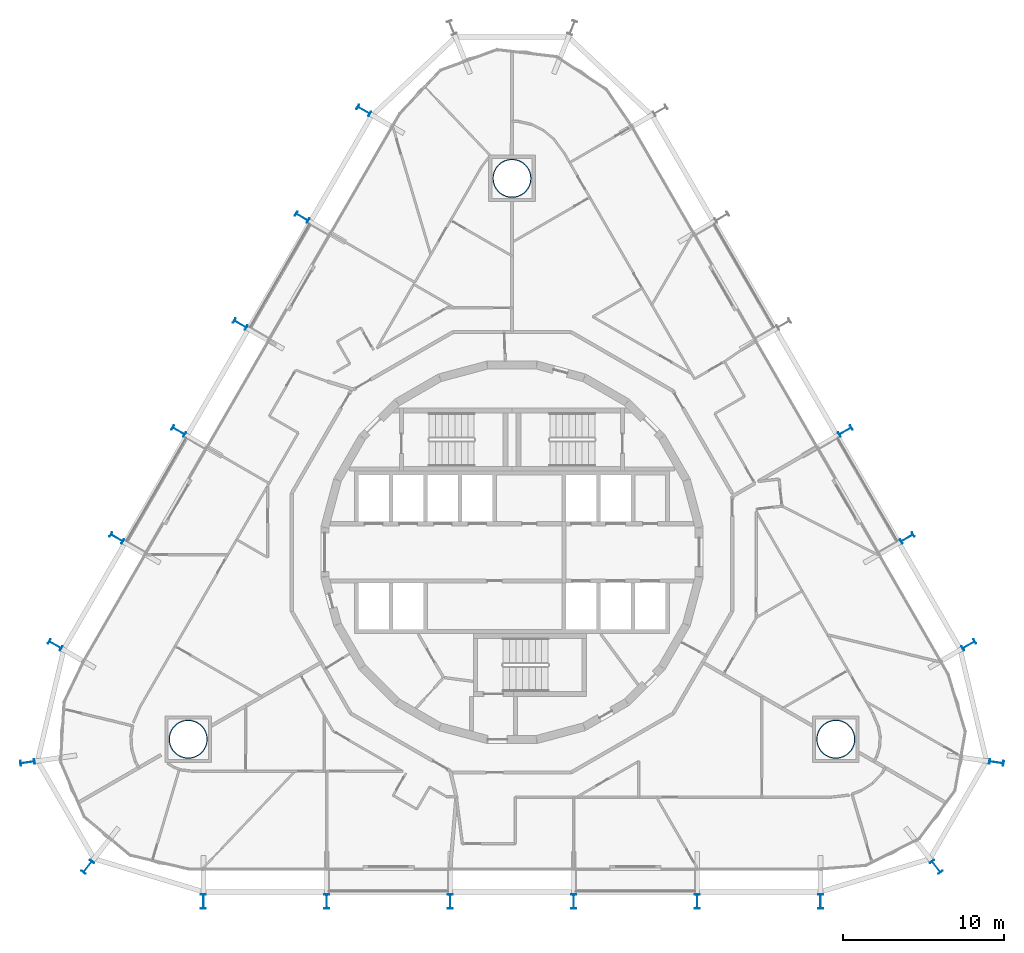
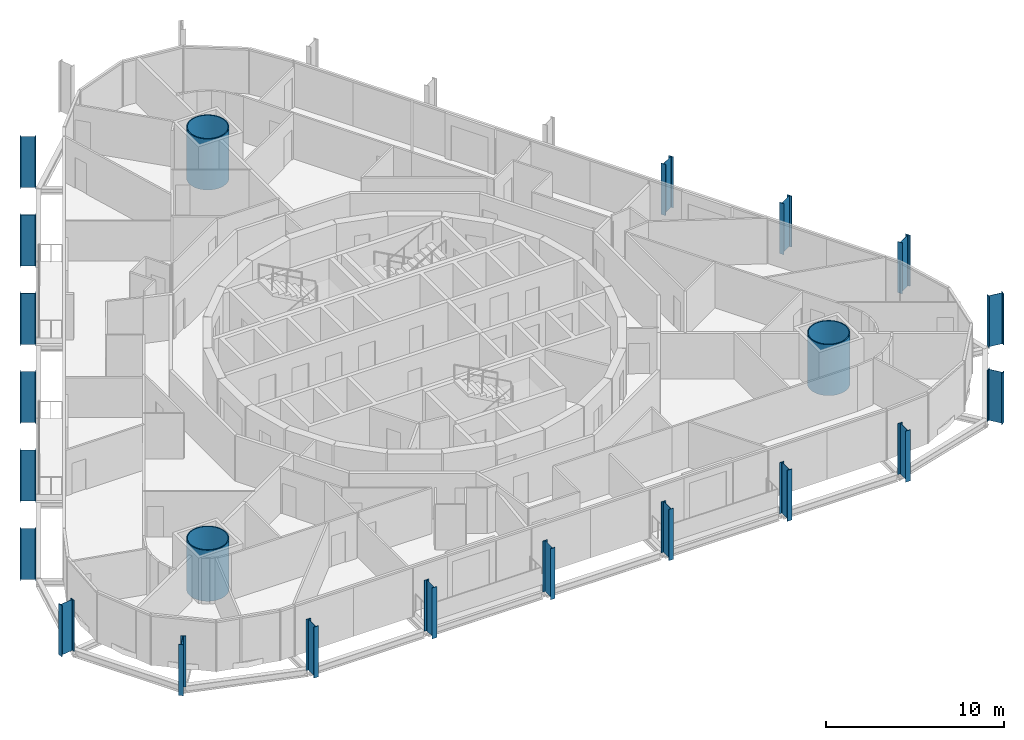
# One storey, part 1 of 20: 22 columns.
"""IFC4 building model written with IfcOpenShell, lengths in metres."""

from ifc_helpers import new_model, si_unit, direction, frame, origin, origin_2d, place, context, subcontext, project, spatial, hollow_circle, i_section, extrude, material, material_profile, profile_set, type_object, element, save


model = new_model("IFC4")

# Units and contexts
model_context = context("Model", 3, precision=1e-05, world=origin(), true_north=direction((0.0, 1.0)))
body_context = subcontext(model_context, "Body", "Model", "MODEL_VIEW")
ifc_project = project(units=[si_unit("LENGTHUNIT", "METRE"), si_unit("AREAUNIT", "SQUARE_METRE"), si_unit("VOLUMEUNIT", "CUBIC_METRE"), si_unit("PLANEANGLEUNIT", "RADIAN"), si_unit("MASSUNIT", "GRAM", prefix="KILO")], contexts=[model_context])

# Site, building, storey
site_placement = place(None, origin())
site = spatial("IfcSite", under=ifc_project, at=site_placement, CompositionType="ELEMENT")
building_placement = place(site_placement, origin())
building = spatial("IfcBuilding", under=site, at=building_placement, Name="Spindle Arch Residences", CompositionType="ELEMENT")
storey_placement = place(building_placement, frame((0.0, 0.0, 59.39990234375)))
storey = spatial("IfcBuildingStorey", under=building, at=storey_placement, Name="L13", CompositionType="ELEMENT", Elevation=59.39990234375)

# Columns
ifc_material_1 = material(Name="Steel S460ML, intumescent coating R 240", Category="steel")
ifc_material_profile_1 = material_profile(ifc_material_1, i_section(OverallWidth=0.300048828125, OverallDepth=0.89990234375, WebThickness=0.0185546875, FlangeThickness=0.034912109375, FilletRadius=0.030029296875, at=origin_2d()), Name="HEB 900")
ifc_profile_set_1 = profile_set([ifc_material_profile_1], Name="Steel S460ML, intumescent coating R 240")
column_type_1 = type_object("IfcColumnType", Name="Exoskeleton post HEB 900", PredefinedType="COLUMN", material=ifc_profile_set_1)
for number, where, z_axis, x_axis, name in (
    (1, (3.840087890625, -21.72998046875, -0.3798828125), (0.0, 0.0, 1.0), (-1.0, 0.0, 0.0), "Exoskeleton post 1"),
    (2, (11.52001953125, -21.72998046875, -0.3798828125), (0.0, 0.0, 1.0), (-1.0, 0.0, 0.0), "Exoskeleton post 2"),
    (3, (19.2001953125, -21.72998046875, -0.3798828125), (0.0, 0.0, 1.0), (-1.0, 0.0, 0.0), "Exoskeleton post 3"),
    (4, (26.3916015625, -19.565185546875, -0.3798828125), (0.0, 0.0, 1.0), (-0.7856835335, -0.618628632693, 0.0), "Exoskeleton post 4"),
    (5, (30.139892578125, -13.0732421875, -0.3798828125), (0.0, 0.0, 1.0), (-0.142906037553, -0.989736260036, 0.0), "Exoskeleton post 5"),
    (6, (28.418701171875, -5.762939453125, -0.3798828125), (0.0, 0.0, 1.0), (0.50000017485, -0.866025302835, 0.0), "Exoskeleton post 6"),
    (7, (24.57861328125, 0.88818359375, -0.3798828125), (0.0, 0.0, 1.0), (0.50000017485, -0.866025302835, 0.0), "Exoskeleton post 7"),
    (8, (20.73876953125, 7.539306640625, -0.3798828125), (0.0, 0.0, 1.0), (0.50000017485, -0.866025302835, 0.0), "Exoskeleton post 8"),
    (9, (-9.218505859375, 27.492919921875, -0.3798828125), (0.0, 0.0, 1.0), (0.50000017485, 0.866025302835, 0.0), "Exoskeleton post 14"),
    (10, (-13.05859375, 20.841796875, -0.3798828125), (0.0, 0.0, 1.0), (0.50000017485, 0.866025302835, 0.0), "Exoskeleton post 15"),
    (11, (-16.898681640625, 14.1904296875, -0.3798828125), (0.0, 0.0, 1.0), (0.50000017485, 0.866025302835, 0.0), "Exoskeleton post 16"),
    (12, (-20.73876953125, 7.539306640625, -0.3798828125), (0.0, 0.0, 1.0), (0.50000017485, 0.866025302835, 0.0), "Exoskeleton post 17"),
    (13, (-24.57861328125, 0.88818359375, -0.3798828125), (0.0, 0.0, 1.0), (0.50000017485, 0.866025302835, 0.0), "Exoskeleton post 18"),
    (14, (-28.418701171875, -5.762939453125, -0.3798828125), (0.0, 0.0, 1.0), (0.50000017485, 0.866025302835, 0.0), "Exoskeleton post 19"),
    (15, (-30.139892578125, -13.0732421875, -0.3798828125), (0.0, 0.0, 1.0), (-0.142906037553, 0.989736260036, 0.0), "Exoskeleton post 20"),
    (16, (-26.3916015625, -19.565185546875, -0.3798828125), (0.0, 0.0, 1.0), (-0.7856835335, 0.618628632693, 0.0), "Exoskeleton post 21"),
    (17, (-19.2001953125, -21.72998046875, -0.3798828125), (0.0, 0.0, 1.0), (-1.0, 0.0, 0.0), "Exoskeleton post 22"),
    (18, (-11.52001953125, -21.72998046875, -0.3798828125), (0.0, 0.0, 1.0), (-1.0, 0.0, 0.0), "Exoskeleton post 23"),
    (19, (-3.840087890625, -21.72998046875, -0.3798828125), (0.0, 0.0, 1.0), (-1.0, 0.0, 0.0), "Exoskeleton post 24"),
):
    element("IfcColumn", number, at=place(storey_placement, frame(where, z_axis=z_axis, x_axis=x_axis)), inside=storey, type_object=column_type_1, Name=name, PredefinedType="COLUMN", context=body_context, shape_type="SweptSolid", body=[
        extrude(i_section(OverallWidth=0.300048828125, OverallDepth=0.89990234375, WebThickness=0.0185546875, FlangeThickness=0.034912109375, FilletRadius=0.030029296875, at=origin_2d()), origin(), (0.0, 0.0, 1.0), 3.5),
    ])
ifc_material_2 = material(Name="Concrete C50/60 filled steel tube S460ML, intumescent coating R 240", Category="concrete")
ifc_material_profile_2 = material_profile(ifc_material_2, hollow_circle(Radius=1.199951171875, WallThickness=0.06005859375, at=origin_2d()), Name="CFT D2400x60")
ifc_profile_set_2 = profile_set([ifc_material_profile_2], Name="Concrete C50/60 filled steel tube S460ML, intumescent coating R 240")
column_type_2 = type_object("IfcColumnType", Name="Mega-column CFT D2400x60", PredefinedType="COLUMN", material=ifc_profile_set_2)
for number, where, z_axis, x_axis, name in (
    (20, (20.1435546875, -11.6298828125, -0.3798828125), (0.0, 0.0, 1.0), (1.0, 0.0, 0.0), "Mega-column 1"),
    (21, (0.0, 23.259765625, -0.3798828125), (0.0, 0.0, 1.0), (1.0, 0.0, 0.0), "Mega-column 2"),
    (22, (-20.1435546875, -11.6298828125, -0.3798828125), (0.0, 0.0, 1.0), (1.0, 0.0, 0.0), "Mega-column 3"),
):
    element("IfcColumn", number, at=place(storey_placement, frame(where, z_axis=z_axis, x_axis=x_axis)), inside=storey, type_object=column_type_2, Name=name, PredefinedType="COLUMN", context=body_context, shape_type="SweptSolid", body=[
        extrude(hollow_circle(Radius=1.199951171875, WallThickness=0.06005859375, at=origin_2d()), origin(), (0.0, 0.0, 1.0), 3.5),
    ])

save(model, "model.ifc")
